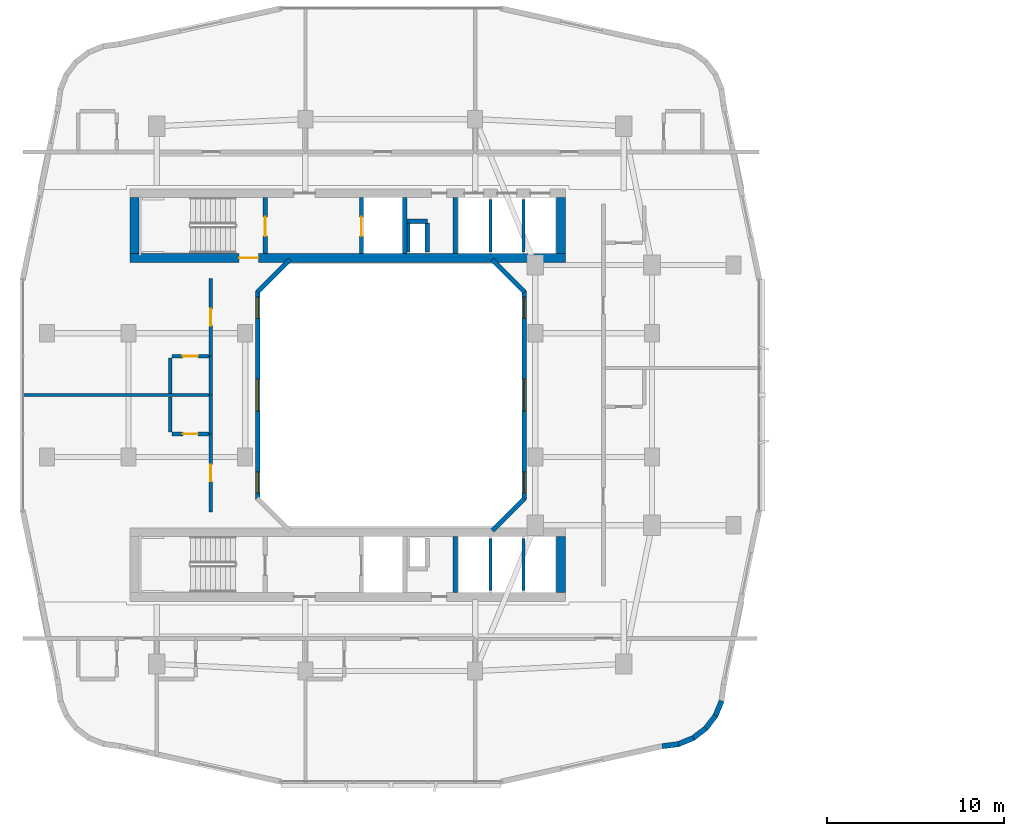
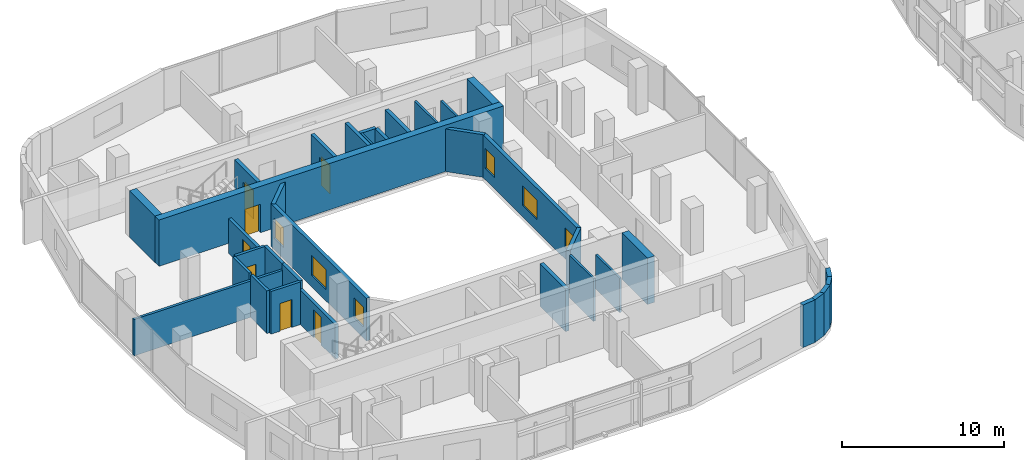
# One storey, part 13 of 25: 35 walls, 7 doors, 6 windows, 13 openings.
"""IFC4 building model written with IfcOpenShell, lengths in metres."""

from ifc_helpers import new_model, si_unit, derived_unit, direction, frame, frame_2d, origin, place, context, subcontext, project, spatial, rectangle, extrude, material, layer, layer_set, type_object, element, fill, save


model = new_model("IFC4")

# Units and contexts
model_context = context("Model", 3, precision=1e-05, world=origin(), true_north=direction((0.0, 1.0)))
body_context = subcontext(model_context, "Body", "Model", "MODEL_VIEW")
ifc_project = project(units=[si_unit("LENGTHUNIT", "METRE"), si_unit("AREAUNIT", "SQUARE_METRE"), si_unit("VOLUMEUNIT", "CUBIC_METRE"), si_unit("PLANEANGLEUNIT", "RADIAN"), si_unit("MASSUNIT", "GRAM", prefix="KILO"), derived_unit("THERMALTRANSMITTANCEUNIT", [(si_unit("POWERUNIT", "WATT"), 1), (si_unit("LENGTHUNIT", "METRE"), -2), (si_unit("THERMODYNAMICTEMPERATUREUNIT", "KELVIN"), -1)])], contexts=[model_context])

# Site, building, storey
site_placement = place(None, origin())
site = spatial("IfcSite", under=ifc_project, at=site_placement, CompositionType="ELEMENT")
building_placement = place(site_placement, origin())
building = spatial("IfcBuilding", under=site, at=building_placement, Name="Kivonza Crest Hotel", CompositionType="ELEMENT")
storey_placement = place(building_placement, frame((0.0, 0.0, 83.5)))
storey = spatial("IfcBuildingStorey", under=building, at=storey_placement, Name="L22", CompositionType="ELEMENT", Elevation=83.5)

# Walls
ifc_material_1 = material(Name="High-density acoustic masonry inter-tenancy wall", Category="masonry")
ifc_layer_1 = layer(ifc_material_1, 0.179931640625)
ifc_layer_set_1 = layer_set([ifc_layer_1], Name="High-density acoustic masonry inter-tenancy wall")
wall_type_1 = type_object("IfcWallType", Name="WL-ACOU-180", PredefinedType="SOLIDWALL", material=ifc_layer_set_1)
wall_1_placement = place(storey_placement, frame((0.139892578125, 25.0, 0.0), z_axis=(0.0, 0.0, 1.0), x_axis=(1.0, 0.0, 0.0)))
element("IfcWall", 1, at=wall_1_placement, inside=storey, type_object=wall_type_1, Name="L22 interior partition WA-L22-T1W-DIV1", PredefinedType="SOLIDWALL", context=body_context, shape_type="SweptSolid", body=[
    extrude(rectangle(XDim=10.710205078125, YDim=0.179931640625, at=frame_2d((5.35498046875, 0.0))), origin(), (0.0, 0.0, 1.0), 2.7451171875),
])
ifc_material_2 = material(Name="Autoclaved aerated concrete blockwork", Category="masonry")
ifc_layer_2 = layer(ifc_material_2, 0.219970703125)
ifc_layer_set_2 = layer_set([ifc_layer_2], Name="Autoclaved aerated concrete blockwork")
wall_type_2 = type_object("IfcWallType", Name="WL-ACOU-220", PredefinedType="SOLIDWALL", material=ifc_layer_set_2)
wall_2_placement = place(storey_placement, frame((10.85009765625, 22.800048828125, 0.0), z_axis=(0.0, 0.0, 1.0), x_axis=(0.0, 1.0, 0.0)))
element("IfcWall", 2, at=wall_2_placement, inside=storey, type_object=wall_type_2, Name="L22 interior partition WA-L22-W06-BCORR", PredefinedType="SOLIDWALL", context=body_context, shape_type="SweptSolid", body=[
    extrude(rectangle(XDim=2.199951171875, YDim=0.219970703125, at=frame_2d((1.10009765625, 0.0))), origin(), (0.0, 0.0, 1.0), 3.219970703125),
])

# Wall, opening, door
wall_3_placement = place(storey_placement, frame((10.85009765625, 18.39990234375, 0.0), z_axis=(0.0, 0.0, 1.0), x_axis=(0.0, 1.0, 0.0)))
wall_3 = element("IfcWall", 3, at=wall_3_placement, inside=storey, type_object=wall_type_2, Name="L22 interior partition WA-L22-W06-MCORR", PredefinedType="SOLIDWALL", context=body_context, shape_type="SweptSolid", body=[
    extrude(rectangle(XDim=4.400146484375, YDim=0.219970703125, at=frame_2d((2.2001953125, 0.0))), origin(), (0.0, 0.0, 1.0), 2.594970703125),
])
opening_1_placement = place(wall_3_placement, frame((1.72509765625, 0.0, 0.0)))
opening_1 = element("IfcOpeningElement", 4, at=opening_1_placement, cuts=wall_3, Name="Opening DU-60", PredefinedType="OPENING", context=body_context, shape_type="SweptSolid", body=[
    extrude(rectangle(XDim=0.949951171875, YDim=2.10009765625, at=frame_2d((0.47509765625, 1.050048828125))), frame((0.0, 0.1201171875, 0.0), z_axis=(0.0, -1.0, 0.0), x_axis=(1.0, 0.0, 0.0)), (0.0, 0.0, 1.0), 0.239990234375),
])
ifc_material_3 = material(Name="Hardwood timber oak", Category="wood")
door_type_1 = type_object("IfcDoorType", Name="DR-UNIT-950", OperationType="NOTDEFINED", PredefinedType="DOOR", material=ifc_material_3)
door_1_placement = place(opening_1_placement, origin())
door_1 = element("IfcDoor", 5, at=door_1_placement, inside=storey, type_object=door_type_1, Name="L22 W06 guest unit entrance fire door", OperationType="SINGLE_SWING_RIGHT", OverallHeight=2.10009765625, OverallWidth=0.949951171875, PredefinedType="DOOR", context=body_context, shape_type="SweptSolid", body=[
    extrude(rectangle(XDim=0.949951171875, YDim=2.10009765625, at=frame_2d((0.47509765625, 1.050048828125))), frame((0.0, 0.02490234375, 0.0), z_axis=(0.0, -1.0, 0.0), x_axis=(1.0, 0.0, 0.0)), (0.0, 0.0, 1.0), 0.050048828125),
])
fill(opening_1, door_1)

# Wall
wall_4_placement = place(storey_placement, frame((10.85009765625, 25.0, 0.0), z_axis=(0.0, 0.0, 1.0), x_axis=(0.0, 1.0, 0.0)))
element("IfcWall", 6, at=wall_4_placement, inside=storey, type_object=wall_type_2, Name="L22 interior partition WA-L22-W07-BCORR", PredefinedType="SOLIDWALL", context=body_context, shape_type="SweptSolid", body=[
    extrude(rectangle(XDim=2.199951171875, YDim=0.219970703125, at=frame_2d((1.10009765625, 0.0))), origin(), (0.0, 0.0, 1.0), 3.219970703125),
])

# Wall, opening, door
wall_5_placement = place(storey_placement, frame((10.85009765625, 27.199951171875, 0.0), z_axis=(0.0, 0.0, 1.0), x_axis=(0.0, 1.0, 0.0)))
wall_5 = element("IfcWall", 7, at=wall_5_placement, inside=storey, type_object=wall_type_2, Name="L22 interior partition WA-L22-W07-MCORR", PredefinedType="SOLIDWALL", context=body_context, shape_type="SweptSolid", body=[
    extrude(rectangle(XDim=4.400146484375, YDim=0.219970703125, at=frame_2d((2.2001953125, 0.0))), origin(), (0.0, 0.0, 1.0), 2.594970703125),
])
opening_2_placement = place(wall_5_placement, frame((1.72509765625, 0.0, 0.0)))
opening_2 = element("IfcOpeningElement", 8, at=opening_2_placement, cuts=wall_5, Name="Opening DU-60", PredefinedType="OPENING", context=body_context, shape_type="SweptSolid", body=[
    extrude(rectangle(XDim=0.949951171875, YDim=2.10009765625, at=frame_2d((0.47509765625, 1.050048828125))), frame((0.0, 0.1201171875, 0.0), z_axis=(0.0, -1.0, 0.0), x_axis=(1.0, 0.0, 0.0)), (0.0, 0.0, 1.0), 0.239990234375),
])
door_2_placement = place(opening_2_placement, origin())
door_2 = element("IfcDoor", 9, at=door_2_placement, inside=storey, type_object=door_type_1, Name="L22 W07 guest unit entrance fire door", OperationType="SINGLE_SWING_LEFT", OverallHeight=2.10009765625, OverallWidth=0.949951171875, PredefinedType="DOOR", context=body_context, shape_type="SweptSolid", body=[
    extrude(rectangle(XDim=0.949951171875, YDim=2.10009765625, at=frame_2d((0.47509765625, 1.050048828125))), frame((0.0, 0.02490234375, 0.0), z_axis=(0.0, -1.0, 0.0), x_axis=(1.0, 0.0, 0.0)), (0.0, 0.0, 1.0), 0.050048828125),
])
fill(opening_2, door_2)

ifc_material_4 = material(Name="Concrete C60/75", Category="concrete")
ifc_layer_3 = layer(ifc_material_4, 0.5)
ifc_layer_set_3 = layer_set([ifc_layer_3], Name="Concrete C60/75")
wall_type_3 = type_object("IfcWallType", Name="WL-CORE-500", PredefinedType="SHEAR", material=ifc_layer_set_3)
wall_6_placement = place(storey_placement, frame((6.300048828125, 32.75, 0.0), z_axis=(0.0, 0.0, 1.0), x_axis=(1.0, 0.0, 0.0)))
wall_6 = element("IfcWall", 10, at=wall_6_placement, inside=storey, type_object=wall_type_3, Name="Core wall T1-N South L22", PredefinedType="SHEAR", context=body_context, shape_type="SweptSolid", body=[
    extrude(rectangle(XDim=24.599853515625, YDim=0.5, at=frame_2d((12.2998046875, 0.0))), origin(), (0.0, 0.0, 1.0), 3.5),
])
opening_3_placement = place(wall_6_placement, frame((6.14990234375, 0.0, 0.0)))
opening_3 = element("IfcOpeningElement", 11, at=opening_3_placement, cuts=wall_6, Name="Opening DF-120", PredefinedType="OPENING", context=body_context, shape_type="SweptSolid", body=[
    extrude(rectangle(XDim=1.10009765625, YDim=2.14990234375, at=frame_2d((0.550048828125, 1.074951171875))), frame((0.0, 0.260009765625, 0.0), z_axis=(0.0, -1.0, 0.0), x_axis=(1.0, 0.0, 0.0)), (0.0, 0.0, 1.0), 0.52001953125),
])
ifc_material_5 = material(Name="Galvanised steel", Category="steel")
door_type_2 = type_object("IfcDoorType", Name="DR-FD120-1100", OperationType="NOTDEFINED", PredefinedType="DOOR", material=ifc_material_5)
door_3_placement = place(opening_3_placement, origin())
door_3 = element("IfcDoor", 12, at=door_3_placement, inside=storey, type_object=door_type_2, Name="L22 West corridor stair access fire door", OperationType="SINGLE_SWING_LEFT", OverallHeight=2.14990234375, OverallWidth=1.10009765625, PredefinedType="DOOR", context=body_context, shape_type="SweptSolid", body=[
    extrude(rectangle(XDim=1.10009765625, YDim=2.14990234375, at=frame_2d((0.550048828125, 1.074951171875))), frame((0.0, 0.02490234375, 0.0), z_axis=(0.0, -1.0, 0.0), x_axis=(1.0, 0.0, 0.0)), (0.0, 0.0, 1.0), 0.050048828125),
])
fill(opening_3, door_3)

# Walls
for number, where, z_axis, x_axis, name in (
    (13, (6.550048828125, 33.0, 0.0), (0.0, 0.0, 1.0), (0.0, 1.0, 0.0), "Core wall T1-N West L22"),
    (14, (30.64990234375, 33.0, 0.0), (0.0, 0.0, 1.0), (0.0, 1.0, 0.0), "Core wall T1-N East L22"),
    (15, (30.64990234375, 13.840087890625, 0.0), (0.0, 0.0, 1.0), (0.0, 1.0, 0.0), "Core wall T1-S East L22"),
):
    element("IfcWall", number, at=place(storey_placement, frame(where, z_axis=z_axis, x_axis=x_axis)), inside=storey, type_object=wall_type_3, Name=name, PredefinedType="SHEAR", context=body_context, shape_type="SweptSolid", body=[
        extrude(rectangle(XDim=3.159912109375, YDim=0.5, at=frame_2d((1.580078125, 0.0))), origin(), (0.0, 0.0, 1.0), 3.5),
    ])
ifc_material_6 = material(Name="Precast concrete C40/50", Category="concrete")
ifc_layer_4 = layer(ifc_material_6, 0.260009765625)
ifc_layer_set_4 = layer_set([ifc_layer_4], Name="Precast concrete C40/50")
wall_type_4 = type_object("IfcWallType", Name="WL-EXT-260", PredefinedType="STANDARD", material=ifc_layer_set_4)
wall_7_placement = place(storey_placement, frame((26.761962890625, 17.337890625, 0.0), z_axis=(0.0, 0.0, 1.0), x_axis=(0.707059717605, 0.707153841636, 0.0)))
element("IfcWall", 16, at=wall_7_placement, inside=storey, type_object=wall_type_4, Name="L22 T1 light-well exterior wall 2", PredefinedType="STANDARD", context=body_context, shape_type="SweptSolid", body=[
    extrude(rectangle(XDim=2.59375, YDim=0.260009765625, at=frame_2d((1.296875, 0.0))), origin(), (0.0, 0.0, 1.0), 3.219970703125),
])

# Wall, openings, windows
wall_8_placement = place(storey_placement, frame((28.570068359375, 19.110107421875, 0.0), z_axis=(0.0, 0.0, 1.0), x_axis=(0.0, 1.0, 0.0)))
wall_8 = element("IfcWall", 17, at=wall_8_placement, inside=storey, type_object=wall_type_4, Name="L22 T1 light-well exterior wall 3", PredefinedType="STANDARD", context=body_context, shape_type="SweptSolid", body=[
    extrude(rectangle(XDim=11.77978515625, YDim=0.260009765625, at=frame_2d((5.889892578125, 0.0))), origin(), (0.0, 0.0, 1.0), 3.219970703125),
])
opening_4_placement = place(wall_8_placement, frame((0.35498046875, 0.0, 0.85009765625)))
opening_4 = element("IfcOpeningElement", 18, at=opening_4_placement, cuts=wall_8, Name="Opening WN-01", PredefinedType="OPENING", context=body_context, shape_type="SweptSolid", body=[
    extrude(rectangle(XDim=1.199951171875, YDim=1.5, at=frame_2d((0.60009765625, 0.75))), frame((0.0, 0.14013671875, 0.0), z_axis=(0.0, -1.0, 0.0), x_axis=(1.0, 0.0, 0.0)), (0.0, 0.0, 1.0), 0.280029296875),
])
opening_5_placement = place(wall_8_placement, frame((4.989990234375, 0.0, 0.85009765625)))
opening_5 = element("IfcOpeningElement", 19, at=opening_5_placement, cuts=wall_8, Name="Opening WN-03", PredefinedType="OPENING", context=body_context, shape_type="SweptSolid", body=[
    extrude(rectangle(XDim=1.800048828125, YDim=1.5, at=frame_2d((0.89990234375, 0.75))), frame((0.0, 0.14013671875, 0.0), z_axis=(0.0, -1.0, 0.0), x_axis=(1.0, 0.0, 0.0)), (0.0, 0.0, 1.0), 0.280029296875),
])
opening_6_placement = place(wall_8_placement, frame((10.22509765625, 0.0, 0.85009765625)))
opening_6 = element("IfcOpeningElement", 20, at=opening_6_placement, cuts=wall_8, Name="Opening WN-01", PredefinedType="OPENING", context=body_context, shape_type="SweptSolid", body=[
    extrude(rectangle(XDim=1.199951171875, YDim=1.5, at=frame_2d((0.60009765625, 0.75))), frame((0.0, 0.14013671875, 0.0), z_axis=(0.0, -1.0, 0.0), x_axis=(1.0, 0.0, 0.0)), (0.0, 0.0, 1.0), 0.280029296875),
])
ifc_material_7 = material(Name="Thermally broken bronze aluminium and low-E double glazing", Category="aluminium")
window_type_1 = type_object("IfcWindowType", Name="WN-120x150", PartitioningType="SINGLE_PANEL", PredefinedType="WINDOW", material=ifc_material_7)
window_1_placement = place(opening_4_placement, origin())
window_1 = element("IfcWindow", 21, at=window_1_placement, inside=storey, type_object=window_type_1, Name="L22 T1 light-well window 3 bay 1", OverallHeight=1.5, OverallWidth=1.199951171875, PartitioningType="SINGLE_PANEL", PredefinedType="WINDOW", context=body_context, shape_type="SweptSolid", body=[
    extrude(rectangle(XDim=1.199951171875, YDim=1.5, at=frame_2d((0.60009765625, 0.75))), frame((0.0, 0.030029296875, 0.0), z_axis=(0.0, -1.0, 0.0), x_axis=(1.0, 0.0, 0.0)), (0.0, 0.0, 1.0), 0.06005859375),
])
fill(opening_4, window_1)
window_2_placement = place(opening_6_placement, origin())
window_2 = element("IfcWindow", 22, at=window_2_placement, inside=storey, type_object=window_type_1, Name="L22 T1 light-well window 3 bay 3", OverallHeight=1.5, OverallWidth=1.199951171875, PartitioningType="SINGLE_PANEL", PredefinedType="WINDOW", context=body_context, shape_type="SweptSolid", body=[
    extrude(rectangle(XDim=1.199951171875, YDim=1.5, at=frame_2d((0.60009765625, 0.75))), frame((0.0, 0.030029296875, 0.0), z_axis=(0.0, -1.0, 0.0), x_axis=(1.0, 0.0, 0.0)), (0.0, 0.0, 1.0), 0.06005859375),
])
fill(opening_6, window_2)
window_type_2 = type_object("IfcWindowType", Name="WN-180x150", PartitioningType="DOUBLE_PANEL_VERTICAL", PredefinedType="WINDOW", material=ifc_material_7)
window_3_placement = place(opening_5_placement, origin())
window_3 = element("IfcWindow", 23, at=window_3_placement, inside=storey, type_object=window_type_2, Name="L22 T1 light-well window 3 bay 2", OverallHeight=1.5, OverallWidth=1.800048828125, PartitioningType="SINGLE_PANEL", PredefinedType="WINDOW", context=body_context, shape_type="SweptSolid", body=[
    extrude(rectangle(XDim=1.800048828125, YDim=1.5, at=frame_2d((0.89990234375, 0.75))), frame((0.0, 0.030029296875, 0.0), z_axis=(0.0, -1.0, 0.0), x_axis=(1.0, 0.0, 0.0)), (0.0, 0.0, 1.0), 0.06005859375),
])
fill(opening_5, window_3)

# Walls
wall_9_placement = place(storey_placement, frame((28.595947265625, 30.827880859375, 0.0), z_axis=(0.0, 0.0, 1.0), x_axis=(-0.707059717605, 0.707153841636, 0.0)))
element("IfcWall", 24, at=wall_9_placement, inside=storey, type_object=wall_type_4, Name="L22 T1 light-well exterior wall 4", PredefinedType="STANDARD", context=body_context, shape_type="SweptSolid", body=[
    extrude(rectangle(XDim=2.59375, YDim=0.260009765625, at=frame_2d((1.296875, 0.0))), origin(), (0.0, 0.0, 1.0), 3.219970703125),
])
wall_10_placement = place(storey_placement, frame((15.318115234375, 32.662109375, 0.0), z_axis=(0.0, 0.0, 1.0), x_axis=(-0.707106781187, -0.707106781187, 0.0)))
element("IfcWall", 25, at=wall_10_placement, inside=storey, type_object=wall_type_4, Name="L22 T1 light-well exterior wall 6", PredefinedType="STANDARD", context=body_context, shape_type="SweptSolid", body=[
    extrude(rectangle(XDim=2.593994140625, YDim=0.260009765625, at=frame_2d((1.296875, 0.0))), origin(), (0.0, 0.0, 1.0), 3.219970703125),
])

# Wall, openings, windows
wall_11_placement = place(storey_placement, frame((13.510009765625, 30.889892578125, 0.0), z_axis=(0.0, 0.0, 1.0), x_axis=(0.0, -1.0, 0.0)))
wall_11 = element("IfcWall", 26, at=wall_11_placement, inside=storey, type_object=wall_type_4, Name="L22 T1 light-well exterior wall 7", PredefinedType="STANDARD", context=body_context, shape_type="SweptSolid", body=[
    extrude(rectangle(XDim=11.77978515625, YDim=0.260009765625, at=frame_2d((5.889892578125, 0.0))), origin(), (0.0, 0.0, 1.0), 3.219970703125),
])
opening_7_placement = place(wall_11_placement, frame((0.35498046875, 0.0, 0.85009765625)))
opening_7 = element("IfcOpeningElement", 27, at=opening_7_placement, cuts=wall_11, Name="Opening WN-01", PredefinedType="OPENING", context=body_context, shape_type="SweptSolid", body=[
    extrude(rectangle(XDim=1.199951171875, YDim=1.5, at=frame_2d((0.60009765625, 0.75))), frame((0.0, 0.14013671875, 0.0), z_axis=(0.0, -1.0, 0.0), x_axis=(1.0, 0.0, 0.0)), (0.0, 0.0, 1.0), 0.280029296875),
])
opening_8_placement = place(wall_11_placement, frame((4.989990234375, 0.0, 0.85009765625)))
opening_8 = element("IfcOpeningElement", 28, at=opening_8_placement, cuts=wall_11, Name="Opening WN-03", PredefinedType="OPENING", context=body_context, shape_type="SweptSolid", body=[
    extrude(rectangle(XDim=1.800048828125, YDim=1.5, at=frame_2d((0.89990234375, 0.75))), frame((0.0, 0.14013671875, 0.0), z_axis=(0.0, -1.0, 0.0), x_axis=(1.0, 0.0, 0.0)), (0.0, 0.0, 1.0), 0.280029296875),
])
opening_9_placement = place(wall_11_placement, frame((10.22509765625, 0.0, 0.85009765625)))
opening_9 = element("IfcOpeningElement", 29, at=opening_9_placement, cuts=wall_11, Name="Opening WN-01", PredefinedType="OPENING", context=body_context, shape_type="SweptSolid", body=[
    extrude(rectangle(XDim=1.199951171875, YDim=1.5, at=frame_2d((0.60009765625, 0.75))), frame((0.0, 0.14013671875, 0.0), z_axis=(0.0, -1.0, 0.0), x_axis=(1.0, 0.0, 0.0)), (0.0, 0.0, 1.0), 0.280029296875),
])
window_4_placement = place(opening_7_placement, origin())
window_4 = element("IfcWindow", 30, at=window_4_placement, inside=storey, type_object=window_type_1, Name="L22 T1 light-well window 7 bay 1", OverallHeight=1.5, OverallWidth=1.199951171875, PartitioningType="SINGLE_PANEL", PredefinedType="WINDOW", context=body_context, shape_type="SweptSolid", body=[
    extrude(rectangle(XDim=1.199951171875, YDim=1.5, at=frame_2d((0.60009765625, 0.75))), frame((0.0, 0.030029296875, 0.0), z_axis=(0.0, -1.0, 0.0), x_axis=(1.0, 0.0, 0.0)), (0.0, 0.0, 1.0), 0.06005859375),
])
fill(opening_7, window_4)
window_5_placement = place(opening_9_placement, origin())
window_5 = element("IfcWindow", 31, at=window_5_placement, inside=storey, type_object=window_type_1, Name="L22 T1 light-well window 7 bay 3", OverallHeight=1.5, OverallWidth=1.199951171875, PartitioningType="SINGLE_PANEL", PredefinedType="WINDOW", context=body_context, shape_type="SweptSolid", body=[
    extrude(rectangle(XDim=1.199951171875, YDim=1.5, at=frame_2d((0.60009765625, 0.75))), frame((0.0, 0.030029296875, 0.0), z_axis=(0.0, -1.0, 0.0), x_axis=(1.0, 0.0, 0.0)), (0.0, 0.0, 1.0), 0.06005859375),
])
fill(opening_9, window_5)
window_6_placement = place(opening_8_placement, origin())
window_6 = element("IfcWindow", 32, at=window_6_placement, inside=storey, type_object=window_type_2, Name="L22 T1 light-well window 7 bay 2", OverallHeight=1.5, OverallWidth=1.800048828125, PartitioningType="SINGLE_PANEL", PredefinedType="WINDOW", context=body_context, shape_type="SweptSolid", body=[
    extrude(rectangle(XDim=1.800048828125, YDim=1.5, at=frame_2d((0.89990234375, 0.75))), frame((0.0, 0.030029296875, 0.0), z_axis=(0.0, -1.0, 0.0), x_axis=(1.0, 0.0, 0.0)), (0.0, 0.0, 1.0), 0.06005859375),
])
fill(opening_8, window_6)

# Walls
ifc_layer_5 = layer(ifc_material_6, 0.300048828125)
ifc_layer_set_5 = layer_set([ifc_layer_5], Name="Precast concrete C40/50")
wall_type_5 = type_object("IfcWallType", Name="WL-EXT-300", PredefinedType="STANDARD", material=ifc_layer_set_5)
wall_12_placement = place(storey_placement, frame((36.3720703125, 5.14794921875, 0.0), z_axis=(0.0, 0.0, 1.0), x_axis=(0.991359246108, 0.131174864804, 0.0)))
element("IfcWall", 33, at=wall_12_placement, inside=storey, type_object=wall_type_5, Name="L22 T1 exterior insulated wall 10", PredefinedType="STANDARD", context=body_context, shape_type="SweptSolid", body=[
    extrude(rectangle(XDim=0.93798828125, YDim=0.300048828125, at=frame_2d((0.468994140625, 0.0))), origin(), (0.0, 0.0, 1.0), 3.219970703125),
])
wall_13_placement = place(storey_placement, frame((37.251953125, 5.251953125, 0.0), z_axis=(0.0, 0.0, 1.0), x_axis=(0.924019948111, 0.382344263057, 0.0)))
element("IfcWall", 34, at=wall_13_placement, inside=storey, type_object=wall_type_5, Name="L22 T1 exterior insulated wall 11", PredefinedType="STANDARD", context=body_context, shape_type="SweptSolid", body=[
    extrude(rectangle(XDim=0.95458984375, YDim=0.300048828125, at=frame_2d((0.477294921875, 0.0))), origin(), (0.0, 0.0, 1.0), 3.219970703125),
])
wall_14_placement = place(storey_placement, frame((38.089111328125, 5.5859375, 0.0), z_axis=(0.0, 0.0, 1.0), x_axis=(0.793573440799, 0.608474481025, 0.0)))
element("IfcWall", 35, at=wall_14_placement, inside=storey, type_object=wall_type_5, Name="L22 T1 exterior insulated wall 12", PredefinedType="STANDARD", context=body_context, shape_type="SweptSolid", body=[
    extrude(rectangle(XDim=0.954833984375, YDim=0.300048828125, at=frame_2d((0.4775390625, 0.0))), origin(), (0.0, 0.0, 1.0), 3.219970703125),
])
wall_15_placement = place(storey_placement, frame((38.81201171875, 6.125, 0.0), z_axis=(0.0, 0.0, 1.0), x_axis=(0.608351047625, 0.793668068435, 0.0)))
element("IfcWall", 36, at=wall_15_placement, inside=storey, type_object=wall_type_5, Name="L22 T1 exterior insulated wall 13", PredefinedType="STANDARD", context=body_context, shape_type="SweptSolid", body=[
    extrude(rectangle(XDim=0.955078125, YDim=0.300048828125, at=frame_2d((0.4775390625, 0.0))), origin(), (0.0, 0.0, 1.0), 3.219970703125),
])
wall_16_placement = place(storey_placement, frame((39.368896484375, 6.833984375, 0.0), z_axis=(0.0, 0.0, 1.0), x_axis=(0.382344263057, 0.924019948111, 0.0)))
element("IfcWall", 37, at=wall_16_placement, inside=storey, type_object=wall_type_5, Name="L22 T1 exterior insulated wall 14", PredefinedType="STANDARD", context=body_context, shape_type="SweptSolid", body=[
    extrude(rectangle(XDim=0.95458984375, YDim=0.300048828125, at=frame_2d((0.477294921875, 0.0))), origin(), (0.0, 0.0, 1.0), 3.219970703125),
])
ifc_material_8 = material(Name="Concrete blockwork fire-compartment wall", Category="masonry")
ifc_layer_6 = layer(ifc_material_8, 0.25)
ifc_layer_set_6 = layer_set([ifc_layer_6], Name="Concrete blockwork fire-compartment wall")
wall_type_6 = type_object("IfcWallType", Name="WL-FIRE-250", PredefinedType="SOLIDWALL", material=ifc_layer_set_6)
wall_17_placement = place(storey_placement, frame((23.10009765625, 33.10009765625, 0.0), z_axis=(0.0, 0.0, 1.0), x_axis=(0.0, 1.0, 0.0)))
element("IfcWall", 38, at=wall_17_placement, inside=storey, type_object=wall_type_6, Name="L22 interior partition WA-L22-T1-N-MEPR-E", PredefinedType="SOLIDWALL", context=body_context, shape_type="SweptSolid", body=[
    extrude(rectangle(XDim=1.619873046875, YDim=0.25, at=frame_2d((0.81005859375, 0.0))), origin(), (0.0, 0.0, 1.0), 3.219970703125),
])
wall_18_placement = place(storey_placement, frame((21.949951171875, 34.820068359375, 0.0), z_axis=(0.0, 0.0, 1.0), x_axis=(1.0, 0.0, 0.0)))
element("IfcWall", 39, at=wall_18_placement, inside=storey, type_object=wall_type_6, Name="L22 interior partition WA-L22-T1-N-MEPR-H", PredefinedType="SOLIDWALL", context=body_context, shape_type="SweptSolid", body=[
    extrude(rectangle(XDim=1.150146484375, YDim=0.25, at=frame_2d((0.5751953125, 0.0))), origin(), (0.0, 0.0, 1.0), 3.219970703125),
])
ifc_material_9 = material(Name="Twin-stud acoustic gypsum board partition", Category="gypsum")
ifc_layer_7 = layer(ifc_material_9, 0.14990234375)
ifc_layer_set_7 = layer_set([ifc_layer_7], Name="Twin-stud acoustic gypsum board partition")
wall_type_7 = type_object("IfcWallType", Name="WL-PART-150", PredefinedType="PARTITIONING", material=ifc_layer_set_7)
wall_19_placement = place(storey_placement, frame((22.030029296875, 33.10009765625, 0.0), z_axis=(0.0, 0.0, 1.0), x_axis=(0.0, 1.0, 0.0)))
element("IfcWall", 40, at=wall_19_placement, inside=storey, type_object=wall_type_7, Name="L22 interior partition WA-L22-T1-N-MEPR-W", PredefinedType="PARTITIONING", context=body_context, shape_type="SweptSolid", body=[
    extrude(rectangle(XDim=1.619873046875, YDim=0.14990234375, at=frame_2d((0.81005859375, 0.0))), origin(), (0.0, 0.0, 1.0), 3.219970703125),
])
wall_20_placement = place(storey_placement, frame((26.6669921875, 33.10009765625, 0.0), z_axis=(0.0, 0.0, 1.0), x_axis=(0.0, 1.0, 0.0)))
element("IfcWall", 41, at=wall_20_placement, inside=storey, type_object=wall_type_7, Name="L22 interior partition WP-L22-T1-N-BSH-1", PredefinedType="PARTITIONING", context=body_context, shape_type="SweptSolid", body=[
    extrude(rectangle(XDim=2.9599609375, YDim=0.14990234375, at=frame_2d((1.47998046875, 0.0))), origin(), (0.0, 0.0, 1.0), 3.219970703125),
])
wall_21_placement = place(storey_placement, frame((28.532958984375, 33.10009765625, 0.0), z_axis=(0.0, 0.0, 1.0), x_axis=(0.0, 1.0, 0.0)))
element("IfcWall", 42, at=wall_21_placement, inside=storey, type_object=wall_type_7, Name="L22 interior partition WP-L22-T1-N-BSH-2", PredefinedType="PARTITIONING", context=body_context, shape_type="SweptSolid", body=[
    extrude(rectangle(XDim=2.9599609375, YDim=0.14990234375, at=frame_2d((1.47998046875, 0.0))), origin(), (0.0, 0.0, 1.0), 2.594970703125),
])
wall_22_placement = place(storey_placement, frame((26.6669921875, 13.93994140625, 0.0), z_axis=(0.0, 0.0, 1.0), x_axis=(0.0, 1.0, 0.0)))
element("IfcWall", 43, at=wall_22_placement, inside=storey, type_object=wall_type_7, Name="L22 interior partition WP-L22-T1-S-BSH-1", PredefinedType="PARTITIONING", context=body_context, shape_type="SweptSolid", body=[
    extrude(rectangle(XDim=2.9599609375, YDim=0.14990234375, at=frame_2d((1.47998046875, 0.0))), origin(), (0.0, 0.0, 1.0), 3.219970703125),
])
wall_23_placement = place(storey_placement, frame((28.532958984375, 13.93994140625, 0.0), z_axis=(0.0, 0.0, 1.0), x_axis=(0.0, 1.0, 0.0)))
element("IfcWall", 44, at=wall_23_placement, inside=storey, type_object=wall_type_7, Name="L22 interior partition WP-L22-T1-S-BSH-2", PredefinedType="PARTITIONING", context=body_context, shape_type="SweptSolid", body=[
    extrude(rectangle(XDim=2.9599609375, YDim=0.14990234375, at=frame_2d((1.47998046875, 0.0))), origin(), (0.0, 0.0, 1.0), 2.594970703125),
])

# Wall, opening, door
ifc_material_10 = material(Name="Moisture-resistant plumbing chase partition wall", Category="gypsum")
ifc_layer_8 = layer(ifc_material_10, 0.199951171875)
ifc_layer_set_8 = layer_set([ifc_layer_8], Name="Moisture-resistant plumbing chase partition wall")
wall_type_8 = type_object("IfcWallType", Name="WL-PLUMB-200", PredefinedType="PLUMBINGWALL", material=ifc_layer_set_8)
wall_24_placement = place(storey_placement, frame((8.64990234375, 22.800048828125, 0.0), z_axis=(0.0, 0.0, 1.0), x_axis=(1.0, 0.0, 0.0)))
wall_24 = element("IfcWall", 45, at=wall_24_placement, inside=storey, type_object=wall_type_8, Name="L22 interior partition WW-L22-W06-BH", PredefinedType="PLUMBINGWALL", context=body_context, shape_type="SweptSolid", body=[
    extrude(rectangle(XDim=2.10009765625, YDim=0.199951171875, at=frame_2d((1.050048828125, 0.0))), origin(), (0.0, 0.0, 1.0), 3.219970703125),
])
opening_10_placement = place(wall_24_placement, frame((0.625, 0.0, 0.0)))
opening_10 = element("IfcOpeningElement", 46, at=opening_10_placement, cuts=wall_24, Name="Opening DI-85", PredefinedType="OPENING", context=body_context, shape_type="SweptSolid", body=[
    extrude(rectangle(XDim=0.85009765625, YDim=2.10009765625, at=frame_2d((0.425048828125, 1.050048828125))), frame((0.0, 0.10986328125, 0.0), z_axis=(0.0, -1.0, 0.0), x_axis=(1.0, 0.0, 0.0)), (0.0, 0.0, 1.0), 0.219970703125),
])
door_type_3 = type_object("IfcDoorType", Name="DR-INT-850", OperationType="NOTDEFINED", PredefinedType="DOOR", material=ifc_material_3)
door_4_placement = place(opening_10_placement, frame((0.85009765625, 0.0, 0.0), z_axis=(0.0, 0.0, 1.0), x_axis=(-1.0, 0.0, 0.0)))
door_4 = element("IfcDoor", 47, at=door_4_placement, inside=storey, type_object=door_type_3, Name="L22 W06 en-suite bathroom door", OperationType="SINGLE_SWING_LEFT", OverallHeight=2.10009765625, OverallWidth=0.85009765625, PredefinedType="DOOR", context=body_context, shape_type="SweptSolid", body=[
    extrude(rectangle(XDim=0.85009765625, YDim=2.10009765625, at=frame_2d((0.425048828125, 1.050048828125))), frame((0.0, 0.02490234375, 0.0), z_axis=(0.0, -1.0, 0.0), x_axis=(1.0, 0.0, 0.0)), (0.0, 0.0, 1.0), 0.050048828125),
])
fill(opening_10, door_4)

# Wall
wall_25_placement = place(storey_placement, frame((8.550048828125, 22.89990234375, 0.0), z_axis=(0.0, 0.0, 1.0), x_axis=(0.0, 1.0, 0.0)))
element("IfcWall", 48, at=wall_25_placement, inside=storey, type_object=wall_type_8, Name="L22 interior partition WW-L22-W06-BV", PredefinedType="PLUMBINGWALL", context=body_context, shape_type="SweptSolid", body=[
    extrude(rectangle(XDim=2.0, YDim=0.199951171875, at=frame_2d((1.0, 0.0))), origin(), (0.0, 0.0, 1.0), 3.219970703125),
])

# Wall, opening, door
wall_26_placement = place(storey_placement, frame((8.64990234375, 27.199951171875, 0.0), z_axis=(0.0, 0.0, 1.0), x_axis=(1.0, 0.0, 0.0)))
wall_26 = element("IfcWall", 49, at=wall_26_placement, inside=storey, type_object=wall_type_8, Name="L22 interior partition WW-L22-W07-BH", PredefinedType="PLUMBINGWALL", context=body_context, shape_type="SweptSolid", body=[
    extrude(rectangle(XDim=2.10009765625, YDim=0.199951171875, at=frame_2d((1.050048828125, 0.0))), origin(), (0.0, 0.0, 1.0), 3.219970703125),
])
opening_11_placement = place(wall_26_placement, frame((0.625, 0.0, 0.0)))
opening_11 = element("IfcOpeningElement", 50, at=opening_11_placement, cuts=wall_26, Name="Opening DI-85", PredefinedType="OPENING", context=body_context, shape_type="SweptSolid", body=[
    extrude(rectangle(XDim=0.85009765625, YDim=2.10009765625, at=frame_2d((0.425048828125, 1.050048828125))), frame((0.0, 0.10986328125, 0.0), z_axis=(0.0, -1.0, 0.0), x_axis=(1.0, 0.0, 0.0)), (0.0, 0.0, 1.0), 0.219970703125),
])
door_5_placement = place(opening_11_placement, origin())
door_5 = element("IfcDoor", 51, at=door_5_placement, inside=storey, type_object=door_type_3, Name="L22 W07 en-suite bathroom door", OperationType="SINGLE_SWING_RIGHT", OverallHeight=2.10009765625, OverallWidth=0.85009765625, PredefinedType="DOOR", context=body_context, shape_type="SweptSolid", body=[
    extrude(rectangle(XDim=0.85009765625, YDim=2.10009765625, at=frame_2d((0.425048828125, 1.050048828125))), frame((0.0, 0.02490234375, 0.0), z_axis=(0.0, -1.0, 0.0), x_axis=(1.0, 0.0, 0.0)), (0.0, 0.0, 1.0), 0.050048828125),
])
fill(opening_11, door_5)

# Wall
wall_27_placement = place(storey_placement, frame((8.550048828125, 25.10009765625, 0.0), z_axis=(0.0, 0.0, 1.0), x_axis=(0.0, 1.0, 0.0)))
element("IfcWall", 52, at=wall_27_placement, inside=storey, type_object=wall_type_8, Name="L22 interior partition WW-L22-W07-BV", PredefinedType="PLUMBINGWALL", context=body_context, shape_type="SweptSolid", body=[
    extrude(rectangle(XDim=2.0, YDim=0.199951171875, at=frame_2d((1.0, 0.0))), origin(), (0.0, 0.0, 1.0), 3.219970703125),
])

# Wall, opening, door
ifc_material_11 = material(Name="Concrete C50/60", Category="concrete")
ifc_layer_9 = layer(ifc_material_11, 0.25)
ifc_layer_set_9 = layer_set([ifc_layer_9], Name="Concrete C50/60")
wall_type_9 = type_object("IfcWallType", Name="WL-SHAFT-250", PredefinedType="STANDARD", material=ifc_layer_set_9)
wall_28_placement = place(storey_placement, frame((13.925048828125, 33.0, 0.0), z_axis=(0.0, 0.0, 1.0), x_axis=(0.0, 1.0, 0.0)))
wall_28 = element("IfcWall", 53, at=wall_28_placement, inside=storey, type_object=wall_type_9, Name="Core shaft wall T1-N STAIR L22", PredefinedType="STANDARD", context=body_context, shape_type="SweptSolid", body=[
    extrude(rectangle(XDim=3.159912109375, YDim=0.25, at=frame_2d((1.580078125, 0.0))), origin(), (0.0, 0.0, 1.0), 3.219970703125),
])
opening_12_placement = place(wall_28_placement, frame((0.97998046875, 0.0, 0.0)))
opening_12 = element("IfcOpeningElement", 54, at=opening_12_placement, cuts=wall_28, Name="Opening DF-120", PredefinedType="OPENING", context=body_context, shape_type="SweptSolid", body=[
    extrude(rectangle(XDim=1.10009765625, YDim=2.14990234375, at=frame_2d((0.550048828125, 1.074951171875))), frame((0.0, 0.135009765625, 0.0), z_axis=(0.0, -1.0, 0.0), x_axis=(1.0, 0.0, 0.0)), (0.0, 0.0, 1.0), 0.27001953125),
])
door_6_placement = place(opening_12_placement, frame((1.10009765625, 0.0, 0.0), z_axis=(0.0, 0.0, 1.0), x_axis=(-1.0, 0.0, 0.0)))
door_6 = element("IfcDoor", 55, at=door_6_placement, inside=storey, type_object=door_type_2, Name="L22 T1-N stair fire door", OperationType="SINGLE_SWING_LEFT", OverallHeight=2.14990234375, OverallWidth=1.10009765625, PredefinedType="DOOR", context=body_context, shape_type="SweptSolid", body=[
    extrude(rectangle(XDim=1.10009765625, YDim=2.14990234375, at=frame_2d((0.550048828125, 1.074951171875))), frame((0.0, 0.02490234375, 0.0), z_axis=(0.0, -1.0, 0.0), x_axis=(1.0, 0.0, 0.0)), (0.0, 0.0, 1.0), 0.050048828125),
])
fill(opening_12, door_6)

wall_29_placement = place(storey_placement, frame((19.375, 33.0, 0.0), z_axis=(0.0, 0.0, 1.0), x_axis=(0.0, 1.0, 0.0)))
wall_29 = element("IfcWall", 56, at=wall_29_placement, inside=storey, type_object=wall_type_9, Name="Core shaft wall T1-N FFL-W L22", PredefinedType="STANDARD", context=body_context, shape_type="SweptSolid", body=[
    extrude(rectangle(XDim=3.159912109375, YDim=0.25, at=frame_2d((1.580078125, 0.0))), origin(), (0.0, 0.0, 1.0), 3.219970703125),
])
opening_13_placement = place(wall_29_placement, frame((0.97998046875, 0.0, 0.0)))
opening_13 = element("IfcOpeningElement", 57, at=opening_13_placement, cuts=wall_29, Name="Opening LD-120", PredefinedType="OPENING", context=body_context, shape_type="SweptSolid", body=[
    extrude(rectangle(XDim=1.10009765625, YDim=2.14990234375, at=frame_2d((0.550048828125, 1.074951171875))), frame((0.0, 0.135009765625, 0.0), z_axis=(0.0, -1.0, 0.0), x_axis=(1.0, 0.0, 0.0)), (0.0, 0.0, 1.0), 0.27001953125),
])
ifc_material_12 = material(Name="Stainless steel", Category="steel")
door_type_4 = type_object("IfcDoorType", Name="DR-LD120-1100", OperationType="NOTDEFINED", PredefinedType="DOOR", material=ifc_material_12)
door_7_placement = place(opening_13_placement, origin())
door_7 = element("IfcDoor", 58, at=door_7_placement, inside=storey, type_object=door_type_4, Name="L22 FFL-T1-N firefighting lift sliding landing door", OperationType="DOUBLE_DOOR_SLIDING", OverallHeight=2.14990234375, OverallWidth=1.10009765625, PredefinedType="DOOR", context=body_context, shape_type="SweptSolid", body=[
    extrude(rectangle(XDim=1.10009765625, YDim=2.14990234375, at=frame_2d((0.550048828125, 1.074951171875))), frame((0.0, 0.02490234375, 0.0), z_axis=(0.0, -1.0, 0.0), x_axis=(1.0, 0.0, 0.0)), (0.0, 0.0, 1.0), 0.050048828125),
])
fill(opening_13, door_7)

# Walls
for number, where, z_axis, x_axis, name in (
    (59, (21.824951171875, 33.0, 0.0), (0.0, 0.0, 1.0), (0.0, 1.0, 0.0), "Core shaft wall T1-N FFL-E L22"),
    (60, (24.675048828125, 33.0, 0.0), (0.0, 0.0, 1.0), (0.0, 1.0, 0.0), "Core shaft wall T1-N BANK-W L22"),
    (61, (24.675048828125, 13.840087890625, 0.0), (0.0, 0.0, 1.0), (0.0, 1.0, 0.0), "Core shaft wall T1-S BANK-W L22"),
):
    element("IfcWall", number, at=place(storey_placement, frame(where, z_axis=z_axis, x_axis=x_axis)), inside=storey, type_object=wall_type_9, Name=name, PredefinedType="STANDARD", context=body_context, shape_type="SweptSolid", body=[
        extrude(rectangle(XDim=3.159912109375, YDim=0.25, at=frame_2d((1.580078125, 0.0))), origin(), (0.0, 0.0, 1.0), 3.219970703125),
    ])

save(model, "model.ifc")
